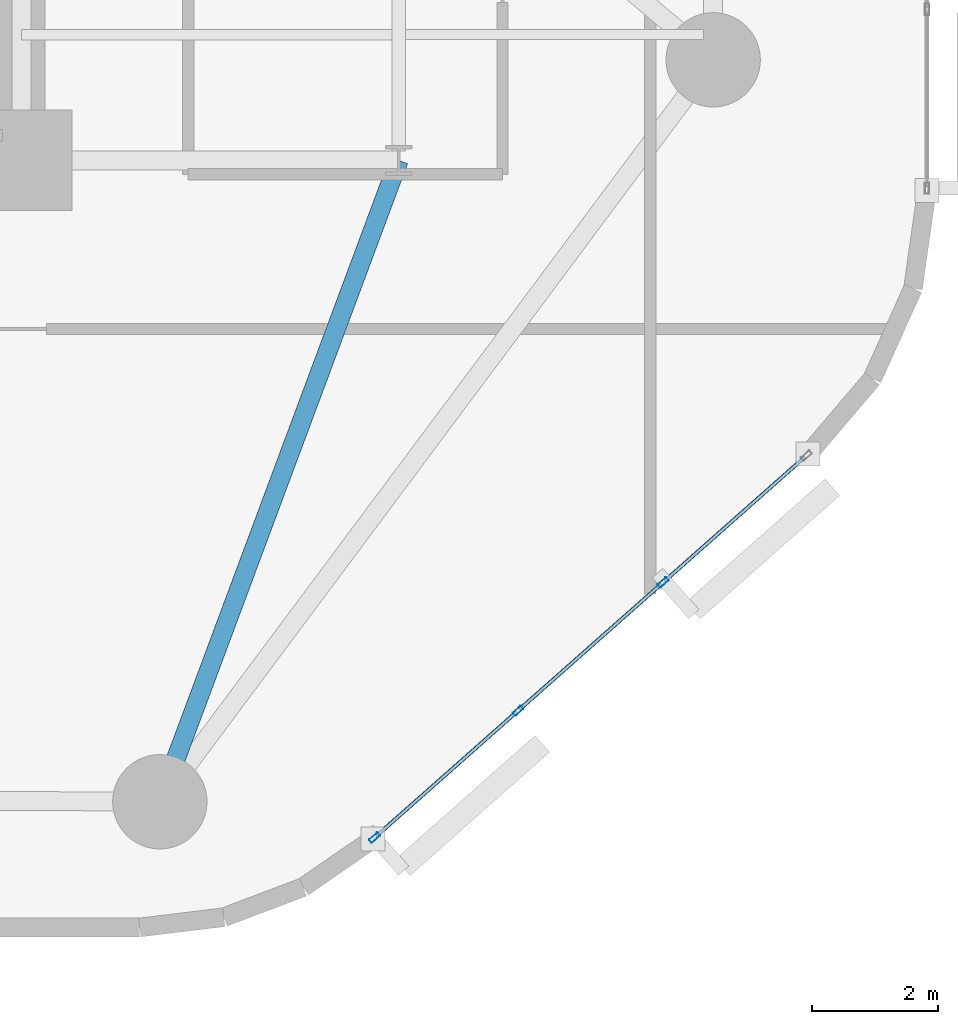
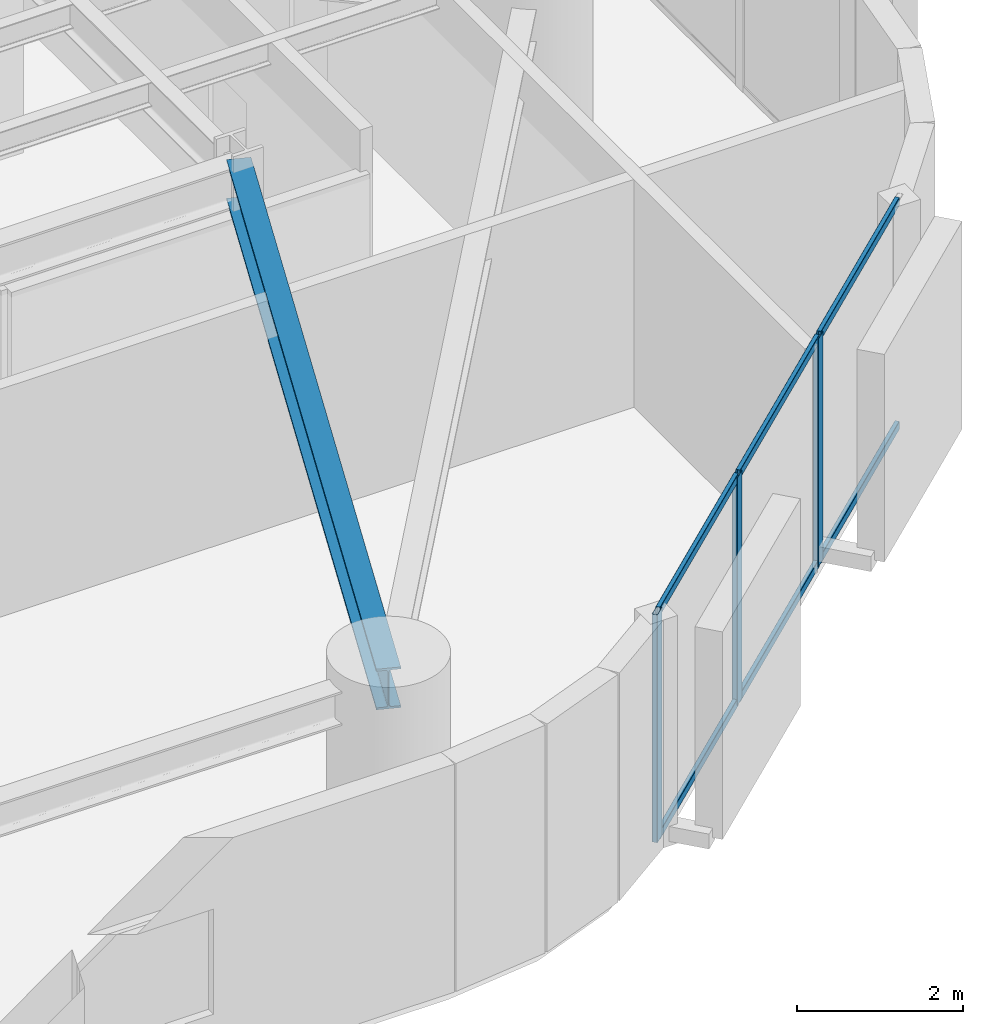
# One storey, part 2 of 16: 9 members, 1 beam, 1 element without a shape of its own.
"""IFC4 building model written with IfcOpenShell, lengths in metres."""

from ifc_helpers import new_model, si_unit, direction, frame, origin, origin_2d, place, context, subcontext, project, spatial, hollow_rectangle, i_section, extrude, material, layer, layer_set, material_profile, profile_set, type_object, element, aggregate, save


model = new_model("IFC4")

# Units and contexts
model_context = context("Model", 3, precision=1e-05, world=origin(), true_north=direction((0.0, 1.0)))
body_context = subcontext(model_context, "Body", "Model", "MODEL_VIEW")
ifc_project = project(units=[si_unit("LENGTHUNIT", "METRE"), si_unit("AREAUNIT", "SQUARE_METRE"), si_unit("VOLUMEUNIT", "CUBIC_METRE"), si_unit("PLANEANGLEUNIT", "RADIAN"), si_unit("MASSUNIT", "GRAM", prefix="KILO")], contexts=[model_context])

# Site, building, storey
site_placement = place(None, origin())
site = spatial("IfcSite", under=ifc_project, at=site_placement, CompositionType="ELEMENT")
building_placement = place(site_placement, origin())
building = spatial("IfcBuilding", under=site, at=building_placement, Name="An Khanh Terracotta Commons", CompositionType="ELEMENT")
storey_placement = place(building_placement, frame((0.0, 0.0, 72.0)))
storey = spatial("IfcBuildingStorey", under=building, at=storey_placement, Name="L19", CompositionType="ELEMENT", Elevation=72.0)

# Beam
ifc_material_1 = material(Name="Steel S355J2", Category="steel")
ifc_material_profile_1 = material_profile(ifc_material_1, i_section(OverallWidth=0.300048828125, OverallDepth=0.60009765625, WebThickness=0.015380859375, FlangeThickness=0.030029296875, FilletRadius=0.027099609375, at=origin_2d()), Name="HEB600")
ifc_profile_set_1 = profile_set([ifc_material_profile_1], Name="Steel S355J2")
beam_type = type_object("IfcBeamType", Name="BM-HEB600", PredefinedType="BEAM", material=ifc_profile_set_1)
beam_placement = place(storey_placement, frame((39.39990234375, 4.199951171875, 3.06005859375), z_axis=(0.349114429862, 0.937080100558, 0.0), x_axis=(-0.937080100558, 0.349114429862, 0.0)))
element("IfcBeam", 1, at=beam_placement, inside=storey, type_object=beam_type, Name="L19 Mega-Column Tie Girder 2", PredefinedType="BEAM", context=body_context, shape_type="SweptSolid", body=[
    extrude(i_section(OverallWidth=0.300048828125, OverallDepth=0.60009765625, WebThickness=0.015380859375, FlangeThickness=0.030029296875, FilletRadius=0.027099609375, at=origin_2d()), origin(), (0.0, 0.0, 1.0), 10.884765625),
])

# Curtain wall, members
ifc_material_2 = material(Name="Anodised Aluminium 6063-T6", Category="aluminium")
ifc_layer = layer(ifc_material_2, 0.199951171875, Name="Anodised Aluminium 6063-T6")
ifc_layer_set = layer_set([ifc_layer], Name="Anodised Aluminium 6063-T6")
curtain_wall_type = type_object("IfcCurtainWallType", Name="CW-SYS-02", PredefinedType="USERDEFINED", material=ifc_layer_set)
curtain_wall_placement = place(storey_placement, origin())
curtain_wall = element("IfcCurtainWall", 2, at=curtain_wall_placement, inside=storey, type_object=curtain_wall_type, Name="L19 CW-02 Unitised Curtain Wall CW-L19-08", ObjectType="UNITISED CURTAIN WALL", PredefinedType="USERDEFINED")
ifc_material_profile_2 = material_profile(ifc_material_2, hollow_rectangle(XDim=0.070068359375, YDim=0.179931640625, WallThickness=0.00390625, InnerFilletRadius=0.00390625, OuterFilletRadius=0.008056640625, at=origin_2d()), Name="RHS180x70x4")
ifc_profile_set_2 = profile_set([ifc_material_profile_2], Name="Anodised Aluminium 6063-T6")
member_type_1 = type_object("IfcMemberType", Name="CWM-RHS180x70x4", PredefinedType="MULLION", material=ifc_profile_set_2)
member_1_placement = place(storey_placement, frame((42.815185546875, 3.629150390625, 0.0), z_axis=(0.0, 0.0, 1.0), x_axis=(-0.662548195415, 0.749019284633, 0.0)))
member_1 = element("IfcMember", 3, at=member_1_placement, type_object=member_type_1, Name="CW-02 mullion 1", PredefinedType="MULLION", context=body_context, shape_type="SweptSolid", body=[
    extrude(hollow_rectangle(XDim=0.070068359375, YDim=0.179931640625, WallThickness=0.00390625, InnerFilletRadius=0.00390625, OuterFilletRadius=0.008056640625, at=origin_2d()), origin(), (0.0, 0.0, 1.0), 3.360107421875),
])
member_2_placement = place(storey_placement, frame((45.095947265625, 5.646728515625, 0.0), z_axis=(0.0, 0.0, 1.0), x_axis=(-0.662548195415, 0.749019284633, 0.0)))
member_2 = element("IfcMember", 4, at=member_2_placement, type_object=member_type_1, Name="CW-02 mullion 2", PredefinedType="MULLION", context=body_context, shape_type="SweptSolid", body=[
    extrude(hollow_rectangle(XDim=0.070068359375, YDim=0.179931640625, WallThickness=0.00390625, InnerFilletRadius=0.00390625, OuterFilletRadius=0.008056640625, at=origin_2d()), origin(), (0.0, 0.0, 1.0), 3.360107421875),
])
member_3_placement = place(storey_placement, frame((47.403076171875, 7.687255859375, 0.0), z_axis=(0.0, 0.0, 1.0), x_axis=(-0.662548195415, 0.749019284633, 0.0)))
member_3 = element("IfcMember", 5, at=member_3_placement, type_object=member_type_1, Name="CW-02 mullion 3", PredefinedType="MULLION", context=body_context, shape_type="SweptSolid", body=[
    extrude(hollow_rectangle(XDim=0.070068359375, YDim=0.179931640625, WallThickness=0.00390625, InnerFilletRadius=0.00390625, OuterFilletRadius=0.008056640625, at=origin_2d()), origin(), (0.0, 0.0, 1.0), 3.360107421875),
])
ifc_material_profile_3 = material_profile(ifc_material_2, hollow_rectangle(XDim=0.06005859375, YDim=0.1201171875, WallThickness=0.003662109375, InnerFilletRadius=0.003662109375, OuterFilletRadius=0.007080078125, at=origin_2d()), Name="RHS120x60x3.6")
ifc_profile_set_3 = profile_set([ifc_material_profile_3], Name="Anodised Aluminium 6063-T6")
member_type_2 = type_object("IfcMemberType", Name="CWT-RHS120x60x3.6", PredefinedType="USERDEFINED", material=ifc_profile_set_3)
member_4_placement = place(storey_placement, frame((42.841552734375, 3.65234375, 0.030029296875), z_axis=(0.74899186341, 0.662579194168, 0.0), x_axis=(-0.662579194168, 0.74899186341, 0.0)))
member_4 = element("IfcMember", 6, at=member_4_placement, type_object=member_type_2, Name="CW-02 transom 1.1", ObjectType="TRANSOM", PredefinedType="USERDEFINED", context=body_context, shape_type="SweptSolid", body=[
    extrude(hollow_rectangle(XDim=0.06005859375, YDim=0.1201171875, WallThickness=0.003662109375, InnerFilletRadius=0.003662109375, OuterFilletRadius=0.007080078125, at=origin_2d()), origin(), (0.0, 0.0, 1.0), 2.97509765625),
])
member_5_placement = place(storey_placement, frame((42.841552734375, 3.65234375, 3.330078125), z_axis=(0.74899186341, 0.662579194168, 0.0), x_axis=(-0.662579194168, 0.74899186341, 0.0)))
member_5 = element("IfcMember", 7, at=member_5_placement, type_object=member_type_2, Name="CW-02 transom 1.2", ObjectType="TRANSOM", PredefinedType="USERDEFINED", context=body_context, shape_type="SweptSolid", body=[
    extrude(hollow_rectangle(XDim=0.06005859375, YDim=0.1201171875, WallThickness=0.003662109375, InnerFilletRadius=0.003662109375, OuterFilletRadius=0.007080078125, at=origin_2d()), origin(), (0.0, 0.0, 1.0), 2.97509765625),
])
member_6_placement = place(storey_placement, frame((45.122314453125, 5.669921875, 0.030029296875), z_axis=(0.749018237701, 0.662549378984, 0.0), x_axis=(-0.662549378984, 0.749018237701, 0.0)))
member_6 = element("IfcMember", 8, at=member_6_placement, type_object=member_type_2, Name="CW-02 transom 2.1", ObjectType="TRANSOM", PredefinedType="USERDEFINED", context=body_context, shape_type="SweptSolid", body=[
    extrude(hollow_rectangle(XDim=0.06005859375, YDim=0.1201171875, WallThickness=0.003662109375, InnerFilletRadius=0.003662109375, OuterFilletRadius=0.007080078125, at=origin_2d()), origin(), (0.0, 0.0, 1.0), 3.009765625),
])
member_7_placement = place(storey_placement, frame((45.122314453125, 5.669921875, 3.330078125), z_axis=(0.749018237701, 0.662549378984, 0.0), x_axis=(-0.662549378984, 0.749018237701, 0.0)))
member_7 = element("IfcMember", 9, at=member_7_placement, type_object=member_type_2, Name="CW-02 transom 2.2", ObjectType="TRANSOM", PredefinedType="USERDEFINED", context=body_context, shape_type="SweptSolid", body=[
    extrude(hollow_rectangle(XDim=0.06005859375, YDim=0.1201171875, WallThickness=0.003662109375, InnerFilletRadius=0.003662109375, OuterFilletRadius=0.007080078125, at=origin_2d()), origin(), (0.0, 0.0, 1.0), 3.009765625),
])
member_8_placement = place(storey_placement, frame((47.42919921875, 7.71044921875, 0.030029296875), z_axis=(0.74899186341, 0.662579194168, 0.0), x_axis=(-0.662579194168, 0.74899186341, 0.0)))
member_8 = element("IfcMember", 10, at=member_8_placement, type_object=member_type_2, Name="CW-02 transom 3.1", ObjectType="TRANSOM", PredefinedType="USERDEFINED", context=body_context, shape_type="SweptSolid", body=[
    extrude(hollow_rectangle(XDim=0.06005859375, YDim=0.1201171875, WallThickness=0.003662109375, InnerFilletRadius=0.003662109375, OuterFilletRadius=0.007080078125, at=origin_2d()), origin(), (0.0, 0.0, 1.0), 2.97509765625),
])
member_9_placement = place(storey_placement, frame((47.42919921875, 7.71044921875, 3.330078125), z_axis=(0.74899186341, 0.662579194168, 0.0), x_axis=(-0.662579194168, 0.74899186341, 0.0)))
member_9 = element("IfcMember", 11, at=member_9_placement, type_object=member_type_2, Name="CW-02 transom 3.2", ObjectType="TRANSOM", PredefinedType="USERDEFINED", context=body_context, shape_type="SweptSolid", body=[
    extrude(hollow_rectangle(XDim=0.06005859375, YDim=0.1201171875, WallThickness=0.003662109375, InnerFilletRadius=0.003662109375, OuterFilletRadius=0.007080078125, at=origin_2d()), origin(), (0.0, 0.0, 1.0), 2.97509765625),
])
aggregate(curtain_wall, [member_1, member_2, member_3, member_4, member_5, member_6, member_7, member_8, member_9])

save(model, "model.ifc")
